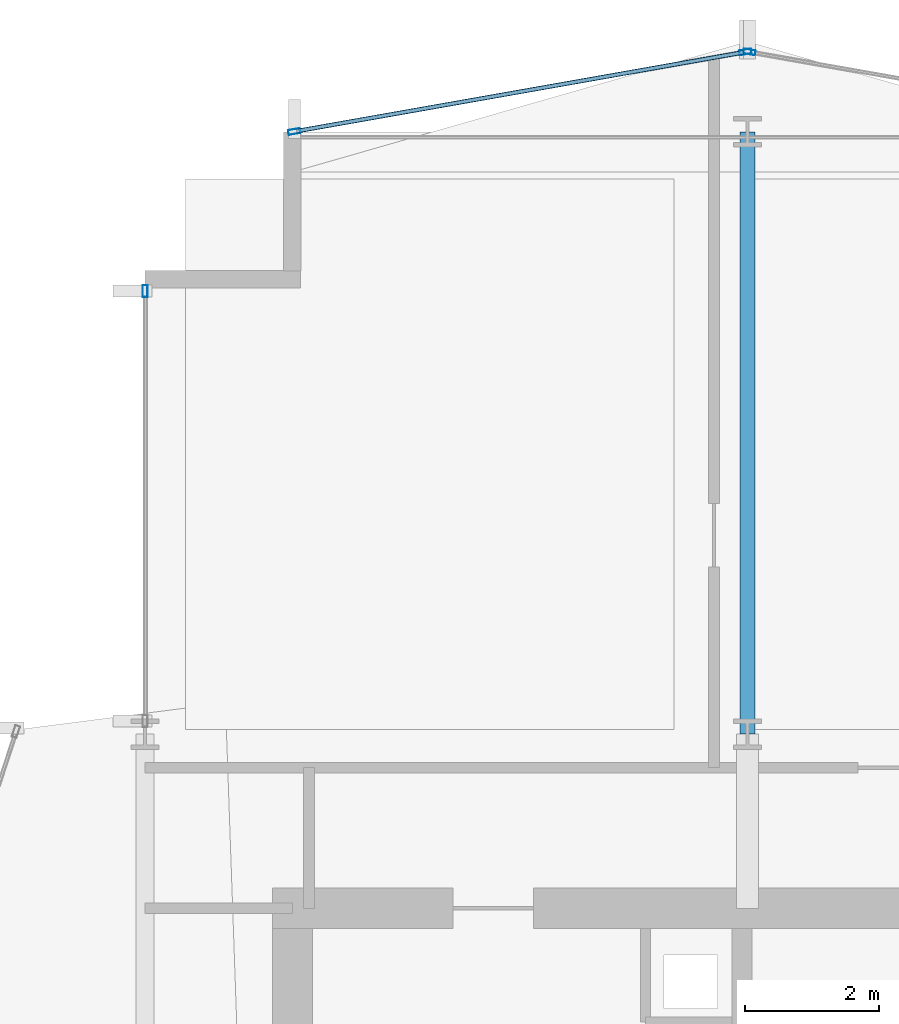
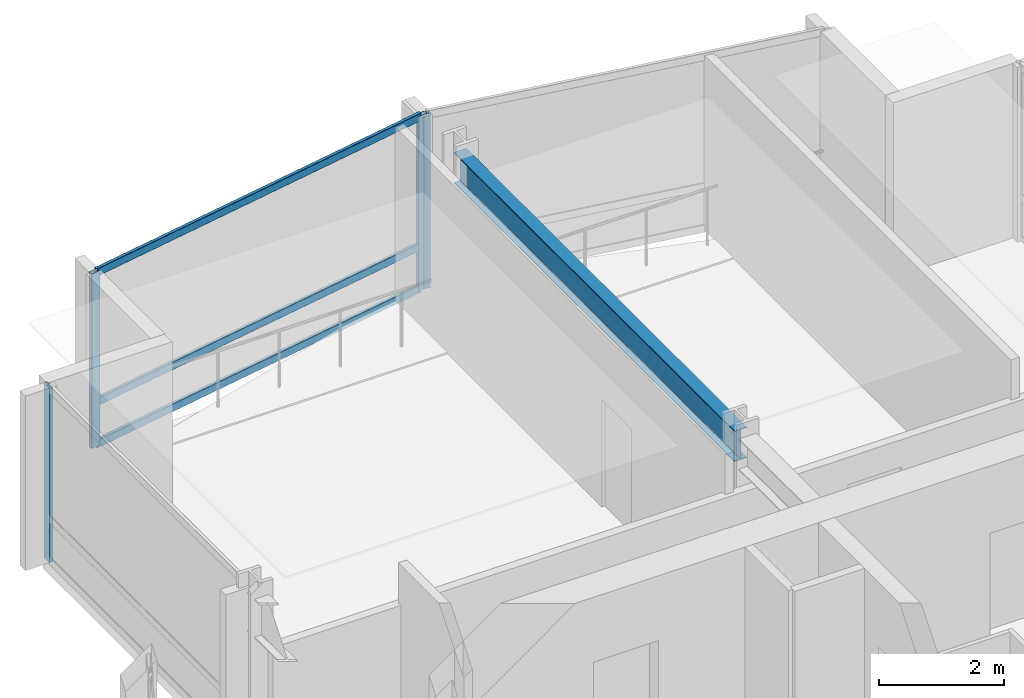
# One storey, part 19 of 29: 7 members, 1 beam, 3 elements without a shape of their own.
"""IFC4 building model written with IfcOpenShell, lengths in metres."""

from ifc_helpers import new_model, si_unit, direction, frame, origin, origin_2d, place, context, subcontext, project, spatial, hollow_rectangle, i_section, extrude, material, layer, layer_set, material_profile, profile_set, type_object, element, aggregate, save


model = new_model("IFC4")

# Units and contexts
model_context = context("Model", 3, precision=1e-05, world=origin(), true_north=direction((0.0, 1.0)))
body_context = subcontext(model_context, "Body", "Model", "MODEL_VIEW")
ifc_project = project(units=[si_unit("LENGTHUNIT", "METRE"), si_unit("AREAUNIT", "SQUARE_METRE"), si_unit("VOLUMEUNIT", "CUBIC_METRE"), si_unit("PLANEANGLEUNIT", "RADIAN"), si_unit("MASSUNIT", "GRAM", prefix="KILO")], contexts=[model_context])

# Site, building, storey
site_placement = place(None, origin())
site = spatial("IfcSite", under=ifc_project, at=site_placement, CompositionType="ELEMENT")
building_placement = place(site_placement, origin())
building = spatial("IfcBuilding", under=site, at=building_placement, Name="Solvaryn Broadcast Tower", CompositionType="ELEMENT")
storey_placement = place(building_placement, frame((0.0, 0.0, 113.699951171875)))
storey = spatial("IfcBuildingStorey", under=building, at=storey_placement, Name="L27", CompositionType="ELEMENT", Elevation=113.699951171875)

# Beam
ifc_material_1 = material(Name="Steel ASTM A992 Grade 50", Category="steel")
ifc_material_profile_1 = material_profile(ifc_material_1, i_section(OverallWidth=0.22802734375, OverallDepth=0.60791015625, WebThickness=0.01123046875, FlangeThickness=0.017333984375, FilletRadius=0.014892578125, at=origin_2d()))
ifc_profile_set_1 = profile_set([ifc_material_profile_1], Name="Steel ASTM A992 Grade 50")
beam_type = type_object("IfcBeamType", Name="BM-B2-W24X76", PredefinedType="BEAM", material=ifc_profile_set_1)
beam_placement = place(storey_placement, frame((18.0, 45.0, 3.115966796875), z_axis=(0.0, 1.0, 0.0), x_axis=(-1.0, 0.0, 0.0)))
element("IfcBeam", 1, at=beam_placement, inside=storey, type_object=beam_type, Name="L27 Primary Beam Y (45-54 @ X=18)", PredefinedType="BEAM", context=body_context, shape_type="SweptSolid", body=[
    extrude(i_section(OverallWidth=0.22802734375, OverallDepth=0.60791015625, WebThickness=0.01123046875, FlangeThickness=0.017333984375, FilletRadius=0.014892578125, at=origin_2d()), origin(), (0.0, 0.0, 1.0), 9.0),
])

# Curtain wall, member
ifc_material_2 = material(Name="Aluminium and Terracotta Unitised Curtain Wall", Category="masonry")
ifc_layer = layer(ifc_material_2, 0.199951171875)
ifc_layer_set = layer_set([ifc_layer], Name="CW-SYS2-LOWMID")
curtain_wall_type = type_object("IfcCurtainWallType", Name="CW-SYS2-LOWMID", PredefinedType="NOTDEFINED", material=ifc_layer_set)
curtain_wall_1_placement = place(storey_placement, origin())
curtain_wall_1 = element("IfcCurtainWall", 2, at=curtain_wall_1_placement, inside=storey, type_object=curtain_wall_type, Name="L27 Curtain Wall W2", PredefinedType="NOTDEFINED")
ifc_material_3 = material(Name="Anodised Aluminium 6063-T6", Category="aluminium")
ifc_material_profile_2 = material_profile(ifc_material_3, hollow_rectangle(XDim=0.074951171875, YDim=0.179931640625, WallThickness=0.00390625, InnerFilletRadius=0.00390625, OuterFilletRadius=0.008056640625, at=origin_2d()))
ifc_profile_set_2 = profile_set([ifc_material_profile_2], Name="Anodised Aluminium 6063-T6")
member_type_1 = type_object("IfcMemberType", Name="CW-MUL-180", PredefinedType="MULLION", material=ifc_profile_set_2)
member_1_placement = place(storey_placement, frame((9.0, 51.6201171875, 0.0), z_axis=(0.0, 0.0, 1.0), x_axis=(-1.0, 0.0, 0.0)))
member_1 = element("IfcMember", 3, at=member_1_placement, type_object=member_type_1, Name="CWS2 mullion 2", PredefinedType="MULLION", context=body_context, shape_type="SweptSolid", body=[
    extrude(hollow_rectangle(XDim=0.074951171875, YDim=0.179931640625, WallThickness=0.00390625, InnerFilletRadius=0.00390625, OuterFilletRadius=0.008056640625, at=origin_2d()), origin(), (0.0, 0.0, 1.0), 3.420166015625),
])
aggregate(curtain_wall_1, [member_1])

curtain_wall_2_placement = place(storey_placement, origin())
curtain_wall_2 = element("IfcCurtainWall", 4, at=curtain_wall_2_placement, inside=storey, type_object=curtain_wall_type, Name="L27 Curtain Wall NT1", PredefinedType="NOTDEFINED")
member_2_placement = place(storey_placement, frame((18.029541015625, 55.19482421875, 0.0), z_axis=(0.0, 0.0, 1.0), x_axis=(-0.173785333901, -0.984783558819, 0.0)))
member_2 = element("IfcMember", 5, at=member_2_placement, type_object=member_type_1, Name="CWS2 mullion 2", PredefinedType="MULLION", context=body_context, shape_type="SweptSolid", body=[
    extrude(hollow_rectangle(XDim=0.074951171875, YDim=0.179931640625, WallThickness=0.00390625, InnerFilletRadius=0.00390625, OuterFilletRadius=0.008056640625, at=origin_2d()), origin(), (0.0, 0.0, 1.0), 3.420166015625),
])
aggregate(curtain_wall_2, [member_2])

# Curtain wall, members
curtain_wall_3_placement = place(storey_placement, origin())
curtain_wall_3 = element("IfcCurtainWall", 6, at=curtain_wall_3_placement, inside=storey, type_object=curtain_wall_type, Name="L27 Curtain Wall NT2", PredefinedType="NOTDEFINED")
member_3_placement = place(storey_placement, frame((17.970458984375, 55.19482421875, 0.0), z_axis=(0.0, 0.0, 1.0), x_axis=(0.173785333901, -0.984783558819, 0.0)))
member_3 = element("IfcMember", 7, at=member_3_placement, type_object=member_type_1, Name="CWS2 mullion 1", PredefinedType="MULLION", context=body_context, shape_type="SweptSolid", body=[
    extrude(hollow_rectangle(XDim=0.074951171875, YDim=0.179931640625, WallThickness=0.00390625, InnerFilletRadius=0.00390625, OuterFilletRadius=0.008056640625, at=origin_2d()), origin(), (0.0, 0.0, 1.0), 3.420166015625),
])
member_4_placement = place(storey_placement, frame((11.2294921875, 54.005126953125, 0.0), z_axis=(0.0, 0.0, 1.0), x_axis=(0.173785333901, -0.984783558819, 0.0)))
member_4 = element("IfcMember", 8, at=member_4_placement, type_object=member_type_1, Name="CWS2 mullion 2", PredefinedType="MULLION", context=body_context, shape_type="SweptSolid", body=[
    extrude(hollow_rectangle(XDim=0.074951171875, YDim=0.179931640625, WallThickness=0.00390625, InnerFilletRadius=0.00390625, OuterFilletRadius=0.008056640625, at=origin_2d()), origin(), (0.0, 0.0, 1.0), 3.420166015625),
])
ifc_material_4 = material(Name="Anodised Aluminium 6063-T6", Category="aluminium")
ifc_material_profile_3 = material_profile(ifc_material_4, hollow_rectangle(XDim=0.06494140625, YDim=0.14990234375, WallThickness=0.00390625, InnerFilletRadius=0.00390625, OuterFilletRadius=0.008056640625, at=origin_2d()))
ifc_profile_set_3 = profile_set([ifc_material_profile_3], Name="Anodised Aluminium 6063-T6")
member_type_2 = type_object("IfcMemberType", Name="CW-TRN-150", PredefinedType="USERDEFINED", material=ifc_profile_set_3)
member_5_placement = place(storey_placement, frame((17.94091796875, 55.189453125, 0.030029296875), z_axis=(-0.984788629673, -0.173756596613, 0.0), x_axis=(0.173756596613, -0.984788629673, 0.0)))
member_5 = element("IfcMember", 9, at=member_5_placement, type_object=member_type_2, Name="CWS2 transom 1.1", ObjectType="TRANSOM", PredefinedType="USERDEFINED", context=body_context, shape_type="SweptSolid", body=[
    extrude(hollow_rectangle(XDim=0.06494140625, YDim=0.14990234375, WallThickness=0.00390625, InnerFilletRadius=0.00390625, OuterFilletRadius=0.008056640625, at=origin_2d()), origin(), (0.0, 0.0, 1.0), 6.78515625),
])
member_6_placement = place(storey_placement, frame((17.94091796875, 55.189453125, 0.85009765625), z_axis=(-0.984788629673, -0.173756596613, 0.0), x_axis=(0.173756596613, -0.984788629673, 0.0)))
member_6 = element("IfcMember", 10, at=member_6_placement, type_object=member_type_2, Name="CWS2 transom 1.2", ObjectType="TRANSOM", PredefinedType="USERDEFINED", context=body_context, shape_type="SweptSolid", body=[
    extrude(hollow_rectangle(XDim=0.06494140625, YDim=0.14990234375, WallThickness=0.00390625, InnerFilletRadius=0.00390625, OuterFilletRadius=0.008056640625, at=origin_2d()), origin(), (0.0, 0.0, 1.0), 6.78515625),
])
member_7_placement = place(storey_placement, frame((17.94091796875, 55.189453125, 3.39013671875), z_axis=(-0.984788629673, -0.173756596613, 0.0), x_axis=(0.173756596613, -0.984788629673, 0.0)))
member_7 = element("IfcMember", 11, at=member_7_placement, type_object=member_type_2, Name="CWS2 transom 1.3", ObjectType="TRANSOM", PredefinedType="USERDEFINED", context=body_context, shape_type="SweptSolid", body=[
    extrude(hollow_rectangle(XDim=0.06494140625, YDim=0.14990234375, WallThickness=0.00390625, InnerFilletRadius=0.00390625, OuterFilletRadius=0.008056640625, at=origin_2d()), origin(), (0.0, 0.0, 1.0), 6.78515625),
])
aggregate(curtain_wall_3, [member_3, member_4, member_5, member_6, member_7])

save(model, "model.ifc")
